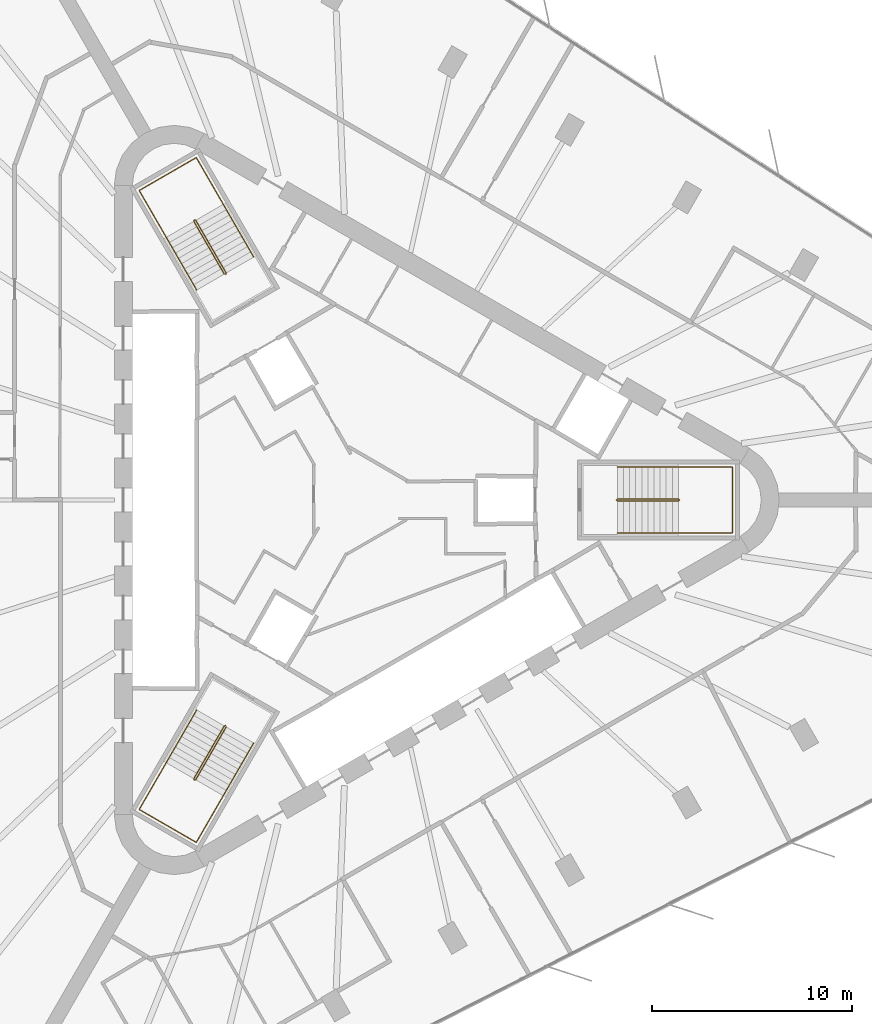
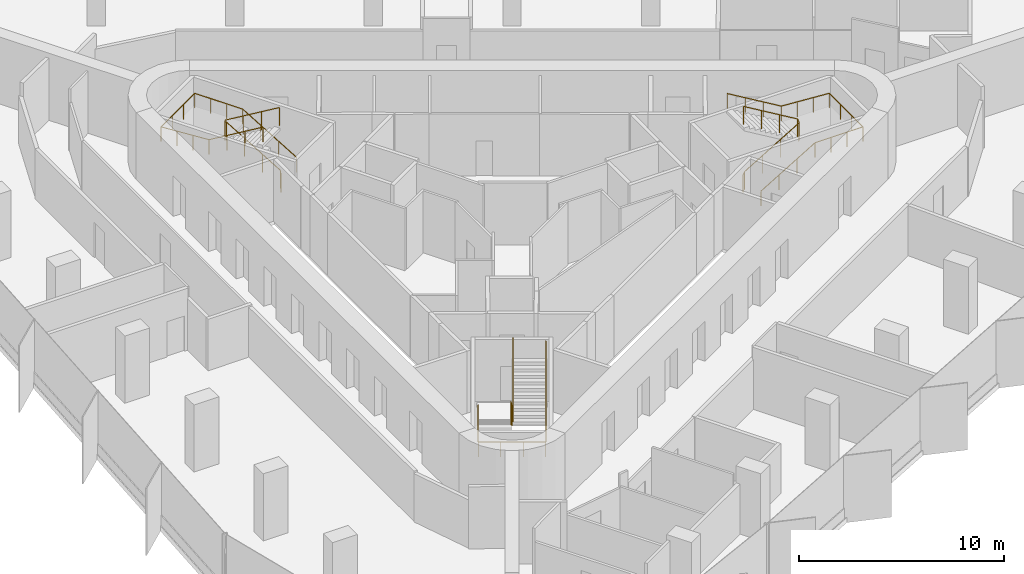
# One storey, part 14 of 14: 6 railings.
"""IFC4 building model written with IfcOpenShell, lengths in metres."""

from ifc_helpers import new_model, si_unit, direction, frame, origin, origin_2d, place, context, subcontext, project, spatial, circle, extrude, material, type_object, element, save


model = new_model("IFC4")

# Units and contexts
model_context = context("Model", 3, precision=1e-05, world=origin(), true_north=direction((0.0, 1.0)))
body_context = subcontext(model_context, "Body", "Model", "MODEL_VIEW")
ifc_project = project(units=[si_unit("LENGTHUNIT", "METRE"), si_unit("AREAUNIT", "SQUARE_METRE"), si_unit("VOLUMEUNIT", "CUBIC_METRE"), si_unit("PLANEANGLEUNIT", "RADIAN"), si_unit("MASSUNIT", "GRAM", prefix="KILO")], contexts=[model_context])

# Site, building, storey
site_placement = place(None, origin())
site = spatial("IfcSite", under=ifc_project, at=site_placement, CompositionType="ELEMENT")
building_placement = place(site_placement, origin())
building = spatial("IfcBuilding", under=site, at=building_placement, Name="Tanit Gate Tower", CompositionType="ELEMENT")
storey_placement = place(building_placement, frame((0.0, 0.0, 261.199951171875)))
storey = spatial("IfcBuildingStorey", under=building, at=storey_placement, Name="L59", CompositionType="ELEMENT", Elevation=261.199951171875)

# Railings
ifc_material_1 = material(Name="Stainless steel balustrade", Category="steel")
railing_type_1 = type_object("IfcRailingType", Name="INT-STAIR-GUARD", PredefinedType="GUARDRAIL", material=ifc_material_1)
railing_1_placement = place(storey_placement, frame((13.044921875, 0.0048828125, 0.0)))
element("IfcRailing", 1, at=railing_1_placement, inside=storey, type_object=railing_type_1, Name="L59 S1 stair guard 1", PredefinedType="GUARDRAIL", context=body_context, shape_type="SweptSolid", body=[
    extrude(circle(Radius=0.02392578125, at=origin_2d()), frame((0.0, 0.0, 1.076171875), z_axis=(0.0, -1.0, 0.0), x_axis=(1.0, 0.0, 0.0)), (0.0, 0.0, 1.0), 0.009765625),
    extrude(circle(Radius=0.02392578125, at=origin_2d()), frame((0.0, -0.009765625, 1.076171875), z_axis=(0.256435381639, -0.256435381639, 0.931923704005), x_axis=(0.707106781187, 0.707106781187, 0.0)), (0.0, 0.0, 1.0), 0.195068359375),
    extrude(circle(Radius=0.02392578125, at=origin_2d()), frame((0.050048828125, -0.059814453125, 1.2578125), z_axis=(0.859041732319, 0.0, 0.511905559781), x_axis=(0.0, 1.0, 0.0)), (0.0, 0.0, 1.0), 3.5517578125),
    extrude(circle(Radius=0.02392578125, at=origin_2d()), frame((3.10107421875, -0.059814453125, 3.076171875), z_axis=(0.707106781187, 0.707106781187, 0.0), x_axis=(-0.707106781187, 0.707106781187, 0.0)), (0.0, 0.0, 1.0), 0.07080078125),
    extrude(circle(Radius=0.02392578125, at=origin_2d()), frame((3.151123046875, -0.009765625, 3.076171875), z_axis=(0.0, 1.0, 0.0), x_axis=(-1.0, 0.0, 0.0)), (0.0, 0.0, 1.0), 0.009765625),
    extrude(circle(Radius=0.02392578125, at=origin_2d()), frame((3.151123046875, 0.0, 3.076171875), z_axis=(-0.256435381639, 0.256435381639, 0.931923704005), x_axis=(-0.707106781187, -0.707106781187, 0.0)), (0.0, 0.0, 1.0), 0.195068359375),
    extrude(circle(Radius=0.02392578125, at=origin_2d()), frame((3.10107421875, 0.050048828125, 3.2578125), z_axis=(-0.859041732319, 0.0, 0.511905559781), x_axis=(0.0, -1.0, 0.0)), (0.0, 0.0, 1.0), 3.5517578125),
    extrude(circle(Radius=0.02099609375, at=origin_2d()), origin(), (0.0, 0.0, 1.0), 1.052001953125),
    extrude(circle(Radius=0.02099609375, at=origin_2d()), frame((0.0, -0.009765625, 0.0)), (0.0, 0.0, 1.0), 1.052001953125),
    extrude(circle(Radius=0.02099609375, at=origin_2d()), frame((0.050048828125, -0.059814453125, 0.181884765625)), (0.0, 0.0, 1.0), 1.052001953125),
    extrude(circle(Radius=0.02099609375, at=origin_2d()), frame((1.067138671875, -0.059814453125, 0.787841796875)), (0.0, 0.0, 1.0), 1.052001953125),
    extrude(circle(Radius=0.02099609375, at=origin_2d()), frame((2.083984375, -0.059814453125, 1.39404296875)), (0.0, 0.0, 1.0), 1.052001953125),
    extrude(circle(Radius=0.02099609375, at=origin_2d()), frame((3.10107421875, -0.059814453125, 2.0)), (0.0, 0.0, 1.0), 1.052001953125),
    extrude(circle(Radius=0.02099609375, at=origin_2d()), frame((3.151123046875, -0.009765625, 2.0)), (0.0, 0.0, 1.0), 1.052001953125),
    extrude(circle(Radius=0.02099609375, at=origin_2d()), frame((3.151123046875, 0.0, 2.0)), (0.0, 0.0, 1.0), 1.052001953125),
    extrude(circle(Radius=0.02099609375, at=origin_2d()), frame((3.10107421875, 0.050048828125, 2.181884765625)), (0.0, 0.0, 1.0), 1.052001953125),
    extrude(circle(Radius=0.02099609375, at=origin_2d()), frame((2.083984375, 0.050048828125, 2.787841796875)), (0.0, 0.0, 1.0), 1.052001953125),
    extrude(circle(Radius=0.02099609375, at=origin_2d()), frame((1.067138671875, 0.050048828125, 3.39404296875)), (0.0, 0.0, 1.0), 1.052001953125),
    extrude(circle(Radius=0.02099609375, at=origin_2d()), frame((0.050048828125, 0.050048828125, 4.0)), (0.0, 0.0, 1.0), 1.052001953125),
])
railing_2_placement = place(storey_placement, frame((-6.527099609375, 11.29345703125, 0.0)))
element("IfcRailing", 2, at=railing_2_placement, inside=storey, type_object=railing_type_1, Name="L59 S2 stair guard 1", PredefinedType="GUARDRAIL", context=body_context, shape_type="SweptSolid", body=[
    extrude(circle(Radius=0.02392578125, at=origin_2d()), frame((0.0, 0.0, 1.076171875), z_axis=(0.868243142124, 0.496138938357, 0.0), x_axis=(-0.496138938357, 0.868243142124, 0.0)), (0.0, 0.0, 1.0), 0.01171875),
    extrude(circle(Radius=0.02392578125, at=origin_2d()), frame((0.01025390625, 0.005859375, 1.076171875), z_axis=(0.093819657636, 0.350260055175, 0.93194193252), x_axis=(-0.965948051503, 0.258736085224, 0.0)), (0.0, 0.0, 1.0), 0.195068359375),
    extrude(circle(Radius=0.02392578125, at=origin_2d()), frame((0.028564453125, 0.07421875, 1.2578125), z_axis=(-0.429472220917, 0.743822504634, 0.512134448226), x_axis=(-0.866012246495, -0.500022788402, 0.0)), (0.0, 0.0, 1.0), 3.550048828125),
    extrude(circle(Radius=0.02392578125, at=origin_2d()), frame((-1.49609375, 2.71484375, 3.076171875), z_axis=(-0.965715946433, 0.259601060869, 0.0), x_axis=(-0.259601060869, -0.965715946433, 0.0)), (0.0, 0.0, 1.0), 0.070556640625),
    extrude(circle(Radius=0.02392578125, at=origin_2d()), frame((-1.564208984375, 2.733154296875, 3.076171875), z_axis=(-0.873197702015, -0.487366159264, 0.0), x_axis=(0.487366159264, -0.873197702015, 0.0)), (0.0, 0.0, 1.0), 0.011962890625),
    extrude(circle(Radius=0.02392578125, at=origin_2d()), frame((-1.57470703125, 2.727294921875, 3.076171875), z_axis=(-0.093819657636, -0.350260055175, 0.93194193252), x_axis=(0.965948051503, -0.258736085224, 0.0)), (0.0, 0.0, 1.0), 0.195068359375),
    extrude(circle(Radius=0.02392578125, at=origin_2d()), frame((-1.593017578125, 2.658935546875, 3.2578125), z_axis=(0.429472220917, -0.743822504634, 0.512134448226), x_axis=(0.866012246495, 0.500022788402, 0.0)), (0.0, 0.0, 1.0), 3.550048828125),
    extrude(circle(Radius=0.02099609375, at=origin_2d()), origin(), (0.0, 0.0, 1.0), 1.052001953125),
    extrude(circle(Radius=0.02099609375, at=origin_2d()), frame((0.01025390625, 0.005859375, 0.0)), (0.0, 0.0, 1.0), 1.052001953125),
    extrude(circle(Radius=0.02099609375, at=origin_2d()), frame((0.028564453125, 0.07421875, 0.181884765625)), (0.0, 0.0, 1.0), 1.052001953125),
    extrude(circle(Radius=0.02099609375, at=origin_2d()), frame((-0.479736328125, 0.954345703125, 0.787841796875)), (0.0, 0.0, 1.0), 1.052001953125),
    extrude(circle(Radius=0.02099609375, at=origin_2d()), frame((-0.98779296875, 1.834716796875, 1.39404296875)), (0.0, 0.0, 1.0), 1.052001953125),
    extrude(circle(Radius=0.02099609375, at=origin_2d()), frame((-1.49609375, 2.71484375, 2.0)), (0.0, 0.0, 1.0), 1.052001953125),
    extrude(circle(Radius=0.02099609375, at=origin_2d()), frame((-1.564208984375, 2.733154296875, 2.0)), (0.0, 0.0, 1.0), 1.052001953125),
    extrude(circle(Radius=0.02099609375, at=origin_2d()), frame((-1.57470703125, 2.727294921875, 2.0)), (0.0, 0.0, 1.0), 1.052001953125),
    extrude(circle(Radius=0.02099609375, at=origin_2d()), frame((-1.593017578125, 2.658935546875, 2.181884765625)), (0.0, 0.0, 1.0), 1.052001953125),
    extrude(circle(Radius=0.02099609375, at=origin_2d()), frame((-1.084716796875, 1.77880859375, 2.787841796875)), (0.0, 0.0, 1.0), 1.052001953125),
    extrude(circle(Radius=0.02099609375, at=origin_2d()), frame((-0.57666015625, 0.8984375, 3.39404296875)), (0.0, 0.0, 1.0), 1.052001953125),
    extrude(circle(Radius=0.02099609375, at=origin_2d()), frame((-0.068359375, 0.018310546875, 4.0)), (0.0, 0.0, 1.0), 1.052001953125),
])
railing_3_placement = place(storey_placement, frame((-6.51806640625, -11.2998046875, 0.0)))
element("IfcRailing", 3, at=railing_3_placement, inside=storey, type_object=railing_type_1, Name="L59 S3 stair guard 1", PredefinedType="GUARDRAIL", context=body_context, shape_type="SweptSolid", body=[
    extrude(circle(Radius=0.02392578125, at=origin_2d()), frame((0.0, 0.0, 1.076171875), z_axis=(-0.874157276122, 0.485642931179, 0.0), x_axis=(-0.485642931179, -0.874157276122, 0.0)), (0.0, 0.0, 1.0), 0.010009765625),
    extrude(circle(Radius=0.02392578125, at=origin_2d()), frame((-0.0087890625, 0.0048828125, 1.076171875), z_axis=(-0.350300895388, -0.092579522353, 0.932050596658), x_axis=(0.255512919477, -0.966805641264, 0.0)), (0.0, 0.0, 1.0), 0.195068359375),
    extrude(circle(Radius=0.02392578125, at=origin_2d()), frame((-0.0771484375, -0.01318359375, 1.2578125), z_axis=(-0.429486674828, -0.743971555965, 0.511905772639), x_axis=(0.866048339477, -0.499960272111, 0.0)), (0.0, 0.0, 1.0), 3.5517578125),
    extrude(circle(Radius=0.02392578125, at=origin_2d()), frame((-1.6025390625, -2.655517578125, 3.076171875), z_axis=(0.258736085224, -0.965948051503, 0.0), x_axis=(0.965948051503, 0.258736085224, 0.0)), (0.0, 0.0, 1.0), 0.07080078125),
    extrude(circle(Radius=0.02392578125, at=origin_2d()), frame((-1.584228515625, -2.723876953125, 3.076171875), z_axis=(0.868243142124, -0.496138938357, 0.0), x_axis=(0.496138938357, 0.868243142124, 0.0)), (0.0, 0.0, 1.0), 0.009765625),
    extrude(circle(Radius=0.02392578125, at=origin_2d()), frame((-1.57568359375, -2.728759765625, 3.076171875), z_axis=(0.350260055175, 0.093819657636, 0.93194193252), x_axis=(-0.258736085224, 0.965948051503, 0.0)), (0.0, 0.0, 1.0), 0.195068359375),
    extrude(circle(Radius=0.02392578125, at=origin_2d()), frame((-1.50732421875, -2.71044921875, 3.2578125), z_axis=(0.429564698942, 0.743918894535, 0.511916836777), x_axis=(-0.865993683553, 0.500054937028, 0.0)), (0.0, 0.0, 1.0), 3.551513671875),
    extrude(circle(Radius=0.02099609375, at=origin_2d()), origin(), (0.0, 0.0, 1.0), 1.052001953125),
    extrude(circle(Radius=0.02099609375, at=origin_2d()), frame((-0.0087890625, 0.0048828125, 0.0)), (0.0, 0.0, 1.0), 1.052001953125),
    extrude(circle(Radius=0.02099609375, at=origin_2d()), frame((-0.0771484375, -0.01318359375, 0.181884765625)), (0.0, 0.0, 1.0), 1.052001953125),
    extrude(circle(Radius=0.02099609375, at=origin_2d()), frame((-0.585693359375, -0.89404296875, 0.787841796875)), (0.0, 0.0, 1.0), 1.052001953125),
    extrude(circle(Radius=0.02099609375, at=origin_2d()), frame((-1.093994140625, -1.774658203125, 1.39404296875)), (0.0, 0.0, 1.0), 1.052001953125),
    extrude(circle(Radius=0.02099609375, at=origin_2d()), frame((-1.6025390625, -2.655517578125, 2.0)), (0.0, 0.0, 1.0), 1.052001953125),
    extrude(circle(Radius=0.02099609375, at=origin_2d()), frame((-1.584228515625, -2.723876953125, 2.0)), (0.0, 0.0, 1.0), 1.052001953125),
    extrude(circle(Radius=0.02099609375, at=origin_2d()), frame((-1.57568359375, -2.728759765625, 2.0)), (0.0, 0.0, 1.0), 1.052001953125),
    extrude(circle(Radius=0.02099609375, at=origin_2d()), frame((-1.50732421875, -2.71044921875, 2.181884765625)), (0.0, 0.0, 1.0), 1.052001953125),
    extrude(circle(Radius=0.02099609375, at=origin_2d()), frame((-0.998779296875, -1.829833984375, 2.787841796875)), (0.0, 0.0, 1.0), 1.052001953125),
    extrude(circle(Radius=0.02099609375, at=origin_2d()), frame((-0.490234375, -0.948974609375, 3.39404296875)), (0.0, 0.0, 1.0), 1.052001953125),
    extrude(circle(Radius=0.02099609375, at=origin_2d()), frame((0.018310546875, -0.068359375, 4.0)), (0.0, 0.0, 1.0), 1.052001953125),
])
ifc_material_2 = material(Name="Stainless steel handrail", Category="steel")
railing_type_2 = type_object("IfcRailingType", Name="INT-STAIR-HANDRAIL", PredefinedType="HANDRAIL", material=ifc_material_2)
railing_4_placement = place(storey_placement, frame((13.094970703125, -1.64990234375, 0.181884765625)))
element("IfcRailing", 4, at=railing_4_placement, inside=storey, type_object=railing_type_2, Name="L59 S1 stair handrail 1", PredefinedType="HANDRAIL", context=body_context, shape_type="SweptSolid", body=[
    extrude(circle(Radius=0.02392578125, at=origin_2d()), frame((0.0, 0.0, 0.8759765625), z_axis=(0.859041732319, 0.0, 0.511905559781), x_axis=(0.0, 1.0, 0.0)), (0.0, 0.0, 1.0), 3.5517578125),
    extrude(circle(Radius=0.02392578125, at=origin_2d()), frame((3.051025390625, 0.0, 2.69384765625), z_axis=(1.0, 0.0, 0.0), x_axis=(0.0, 1.0, 0.0)), (0.0, 0.0, 1.0), 2.7041015625),
    extrude(circle(Radius=0.02392578125, at=origin_2d()), frame((5.755126953125, 0.0, 2.69384765625), z_axis=(0.0, 1.0, 0.0), x_axis=(-1.0, 0.0, 0.0)), (0.0, 0.0, 1.0), 3.2998046875),
    extrude(circle(Radius=0.02392578125, at=origin_2d()), frame((5.755126953125, 3.2998046875, 2.69384765625), z_axis=(-0.997745521698, 0.0, 0.067110907698), x_axis=(0.0, -1.0, 0.0)), (0.0, 0.0, 1.0), 2.710205078125),
    extrude(circle(Radius=0.02392578125, at=origin_2d()), frame((3.051025390625, 3.2998046875, 2.8759765625), z_axis=(-0.859041732319, 0.0, 0.511905559781), x_axis=(0.0, -1.0, 0.0)), (0.0, 0.0, 1.0), 3.5517578125),
    extrude(circle(Radius=0.02099609375, at=origin_2d()), origin(), (0.0, 0.0, 1.0), 0.851806640625),
    extrude(circle(Radius=0.02099609375, at=origin_2d()), frame((1.01708984375, 0.0, 0.60595703125)), (0.0, 0.0, 1.0), 0.851806640625),
    extrude(circle(Radius=0.02099609375, at=origin_2d()), frame((2.033935546875, 0.0, 1.212158203125)), (0.0, 0.0, 1.0), 0.851806640625),
    extrude(circle(Radius=0.02099609375, at=origin_2d()), frame((3.051025390625, 0.0, 1.818115234375)), (0.0, 0.0, 1.0), 0.851806640625),
    extrude(circle(Radius=0.02099609375, at=origin_2d()), frame((3.952392578125, 0.0, 1.818115234375)), (0.0, 0.0, 1.0), 0.851806640625),
    extrude(circle(Radius=0.02099609375, at=origin_2d()), frame((4.853759765625, 0.0, 1.818115234375)), (0.0, 0.0, 1.0), 0.851806640625),
    extrude(circle(Radius=0.02099609375, at=origin_2d()), frame((5.755126953125, 0.0, 1.818115234375)), (0.0, 0.0, 1.0), 0.851806640625),
    extrude(circle(Radius=0.02099609375, at=origin_2d()), frame((5.755126953125, 1.099853515625, 1.818115234375)), (0.0, 0.0, 1.0), 0.851806640625),
    extrude(circle(Radius=0.02099609375, at=origin_2d()), frame((5.755126953125, 2.199951171875, 1.818115234375)), (0.0, 0.0, 1.0), 0.851806640625),
    extrude(circle(Radius=0.02099609375, at=origin_2d()), frame((5.755126953125, 3.2998046875, 1.818115234375)), (0.0, 0.0, 1.0), 0.851806640625),
    extrude(circle(Radius=0.02099609375, at=origin_2d()), frame((4.853759765625, 3.2998046875, 1.878662109375)), (0.0, 0.0, 1.0), 0.851806640625),
    extrude(circle(Radius=0.02099609375, at=origin_2d()), frame((3.952392578125, 3.2998046875, 1.939453125)), (0.0, 0.0, 1.0), 0.851806640625),
    extrude(circle(Radius=0.02099609375, at=origin_2d()), frame((3.051025390625, 3.2998046875, 2.0)), (0.0, 0.0, 1.0), 0.851806640625),
    extrude(circle(Radius=0.02099609375, at=origin_2d()), frame((2.033935546875, 3.2998046875, 2.60595703125)), (0.0, 0.0, 1.0), 0.851806640625),
    extrude(circle(Radius=0.02099609375, at=origin_2d()), frame((1.01708984375, 3.2998046875, 3.212158203125)), (0.0, 0.0, 1.0), 0.851806640625),
    extrude(circle(Radius=0.02099609375, at=origin_2d()), frame((0.0, 3.2998046875, 3.818115234375)), (0.0, 0.0, 1.0), 0.851806640625),
])
railing_5_placement = place(storey_placement, frame((-5.1181640625, 12.164794921875, 0.181884765625)))
element("IfcRailing", 5, at=railing_5_placement, inside=storey, type_object=railing_type_2, Name="L59 S2 stair handrail 1", PredefinedType="HANDRAIL", context=body_context, shape_type="SweptSolid", body=[
    extrude(circle(Radius=0.02392578125, at=origin_2d()), frame((0.0, 0.0, 0.8759765625), z_axis=(-0.429416132344, 0.743844472684, 0.512149573602), x_axis=(-0.866046917185, -0.499962735845, 0.0)), (0.0, 0.0, 1.0), 3.550048828125),
    extrude(circle(Radius=0.02392578125, at=origin_2d()), frame((-1.5244140625, 2.640625, 2.69384765625), z_axis=(-0.500019123664, 0.86601436245, 0.0), x_axis=(-0.86601436245, -0.500019123664, 0.0)), (0.0, 0.0, 1.0), 2.70703125),
    extrude(circle(Radius=0.02392578125, at=origin_2d()), frame((-2.8779296875, 4.98486328125, 2.69384765625), z_axis=(-0.866008176907, -0.50002983664, 0.0), x_axis=(0.50002983664, -0.866008176907, 0.0)), (0.0, 0.0, 1.0), 3.300048828125),
    extrude(circle(Radius=0.02392578125, at=origin_2d()), frame((-5.73583984375, 3.334716796875, 2.69384765625), z_axis=(0.498932980467, -0.864043208057, 0.067046369128), x_axis=(0.865991810323, 0.500058181068, 0.0)), (0.0, 0.0, 1.0), 2.712890625),
    extrude(circle(Radius=0.02392578125, at=origin_2d()), frame((-4.38232421875, 0.99072265625, 2.8759765625), z_axis=(0.429450252752, -0.743853224023, 0.512108251761), x_axis=(0.866032263162, 0.499988119021, 0.0)), (0.0, 0.0, 1.0), 3.55029296875),
    extrude(circle(Radius=0.02099609375, at=origin_2d()), origin(), (0.0, 0.0, 1.0), 0.851806640625),
    extrude(circle(Radius=0.02099609375, at=origin_2d()), frame((-0.508056640625, 0.880126953125, 0.60595703125)), (0.0, 0.0, 1.0), 0.851806640625),
    extrude(circle(Radius=0.02099609375, at=origin_2d()), frame((-1.016357421875, 1.760498046875, 1.212158203125)), (0.0, 0.0, 1.0), 0.851806640625),
    extrude(circle(Radius=0.02099609375, at=origin_2d()), frame((-1.5244140625, 2.640625, 1.818115234375)), (0.0, 0.0, 1.0), 0.851806640625),
    extrude(circle(Radius=0.02099609375, at=origin_2d()), frame((-1.9755859375, 3.422119140625, 1.818115234375)), (0.0, 0.0, 1.0), 0.851806640625),
    extrude(circle(Radius=0.02099609375, at=origin_2d()), frame((-2.4267578125, 4.203369140625, 1.818115234375)), (0.0, 0.0, 1.0), 0.851806640625),
    extrude(circle(Radius=0.02099609375, at=origin_2d()), frame((-2.8779296875, 4.98486328125, 1.818115234375)), (0.0, 0.0, 1.0), 0.851806640625),
    extrude(circle(Radius=0.02099609375, at=origin_2d()), frame((-3.83056640625, 4.434814453125, 1.818115234375)), (0.0, 0.0, 1.0), 0.851806640625),
    extrude(circle(Radius=0.02099609375, at=origin_2d()), frame((-4.783203125, 3.884765625, 1.818115234375)), (0.0, 0.0, 1.0), 0.851806640625),
    extrude(circle(Radius=0.02099609375, at=origin_2d()), frame((-5.73583984375, 3.334716796875, 1.818115234375)), (0.0, 0.0, 1.0), 0.851806640625),
    extrude(circle(Radius=0.02099609375, at=origin_2d()), frame((-5.28466796875, 2.553466796875, 1.878662109375)), (0.0, 0.0, 1.0), 0.851806640625),
    extrude(circle(Radius=0.02099609375, at=origin_2d()), frame((-4.83349609375, 1.77197265625, 1.939453125)), (0.0, 0.0, 1.0), 0.851806640625),
    extrude(circle(Radius=0.02099609375, at=origin_2d()), frame((-4.38232421875, 0.99072265625, 2.0)), (0.0, 0.0, 1.0), 0.851806640625),
    extrude(circle(Radius=0.02099609375, at=origin_2d()), frame((-3.8740234375, 0.1103515625, 2.60595703125)), (0.0, 0.0, 1.0), 0.851806640625),
    extrude(circle(Radius=0.02099609375, at=origin_2d()), frame((-3.365966796875, -0.769775390625, 3.212158203125)), (0.0, 0.0, 1.0), 0.851806640625),
    extrude(circle(Radius=0.02099609375, at=origin_2d()), frame((-2.857666015625, -1.650146484375, 3.818115234375)), (0.0, 0.0, 1.0), 0.851806640625),
])
railing_6_placement = place(storey_placement, frame((-7.9765625, -10.515625, 0.181884765625)))
element("IfcRailing", 6, at=railing_6_placement, inside=storey, type_object=railing_type_2, Name="L59 S3 stair handrail 1", PredefinedType="HANDRAIL", context=body_context, shape_type="SweptSolid", body=[
    extrude(circle(Radius=0.02392578125, at=origin_2d()), frame((0.0, 0.0, 0.8759765625), z_axis=(-0.429486674828, -0.743971555965, 0.511905772639), x_axis=(0.866048339477, -0.499960272111, 0.0)), (0.0, 0.0, 1.0), 3.5517578125),
    extrude(circle(Radius=0.02392578125, at=origin_2d()), frame((-1.525390625, -2.642333984375, 2.69384765625), z_axis=(-0.50004290449, -0.866000631449, 0.0), x_axis=(0.866000631449, -0.50004290449, 0.0)), (0.0, 0.0, 1.0), 2.703857421875),
    extrude(circle(Radius=0.02392578125, at=origin_2d()), frame((-2.87744140625, -4.98388671875, 2.69384765625), z_axis=(0.866008176907, -0.50002983664, 0.0), x_axis=(0.50002983664, 0.866008176907, 0.0)), (0.0, 0.0, 1.0), 3.300048828125),
    extrude(circle(Radius=0.02392578125, at=origin_2d()), frame((-0.01953125, -6.634033203125, 2.69384765625), z_axis=(0.498876541924, 0.864070745781, 0.067111416348), x_axis=(-0.866023205937, 0.500003806764, 0.0)), (0.0, 0.0, 1.0), 2.710205078125),
    extrude(circle(Radius=0.02392578125, at=origin_2d()), frame((1.33251953125, -4.292236328125, 2.8759765625), z_axis=(0.429486674828, 0.743971555965, 0.511905772639), x_axis=(-0.866048339477, 0.499960272111, 0.0)), (0.0, 0.0, 1.0), 3.5517578125),
    extrude(circle(Radius=0.02099609375, at=origin_2d()), origin(), (0.0, 0.0, 1.0), 0.851806640625),
    extrude(circle(Radius=0.02099609375, at=origin_2d()), frame((-0.508544921875, -0.880859375, 0.60595703125)), (0.0, 0.0, 1.0), 0.851806640625),
    extrude(circle(Radius=0.02099609375, at=origin_2d()), frame((-1.016845703125, -1.761474609375, 1.212158203125)), (0.0, 0.0, 1.0), 0.851806640625),
    extrude(circle(Radius=0.02099609375, at=origin_2d()), frame((-1.525390625, -2.642333984375, 1.818115234375)), (0.0, 0.0, 1.0), 0.851806640625),
    extrude(circle(Radius=0.02099609375, at=origin_2d()), frame((-1.97607421875, -3.4228515625, 1.818115234375)), (0.0, 0.0, 1.0), 0.851806640625),
    extrude(circle(Radius=0.02099609375, at=origin_2d()), frame((-2.4267578125, -4.203369140625, 1.818115234375)), (0.0, 0.0, 1.0), 0.851806640625),
    extrude(circle(Radius=0.02099609375, at=origin_2d()), frame((-2.87744140625, -4.98388671875, 1.818115234375)), (0.0, 0.0, 1.0), 0.851806640625),
    extrude(circle(Radius=0.02099609375, at=origin_2d()), frame((-1.9248046875, -5.533935546875, 1.818115234375)), (0.0, 0.0, 1.0), 0.851806640625),
    extrude(circle(Radius=0.02099609375, at=origin_2d()), frame((-0.97216796875, -6.083984375, 1.818115234375)), (0.0, 0.0, 1.0), 0.851806640625),
    extrude(circle(Radius=0.02099609375, at=origin_2d()), frame((-0.01953125, -6.634033203125, 1.818115234375)), (0.0, 0.0, 1.0), 0.851806640625),
    extrude(circle(Radius=0.02099609375, at=origin_2d()), frame((0.43115234375, -5.853515625, 1.878662109375)), (0.0, 0.0, 1.0), 0.851806640625),
    extrude(circle(Radius=0.02099609375, at=origin_2d()), frame((0.8818359375, -5.07275390625, 1.939453125)), (0.0, 0.0, 1.0), 0.851806640625),
    extrude(circle(Radius=0.02099609375, at=origin_2d()), frame((1.33251953125, -4.292236328125, 2.0)), (0.0, 0.0, 1.0), 0.851806640625),
    extrude(circle(Radius=0.02099609375, at=origin_2d()), frame((1.841064453125, -3.411376953125, 2.60595703125)), (0.0, 0.0, 1.0), 0.851806640625),
    extrude(circle(Radius=0.02099609375, at=origin_2d()), frame((2.349365234375, -2.53076171875, 3.212158203125)), (0.0, 0.0, 1.0), 0.851806640625),
    extrude(circle(Radius=0.02099609375, at=origin_2d()), frame((2.85791015625, -1.64990234375, 3.818115234375)), (0.0, 0.0, 1.0), 0.851806640625),
])

save(model, "model.ifc")
